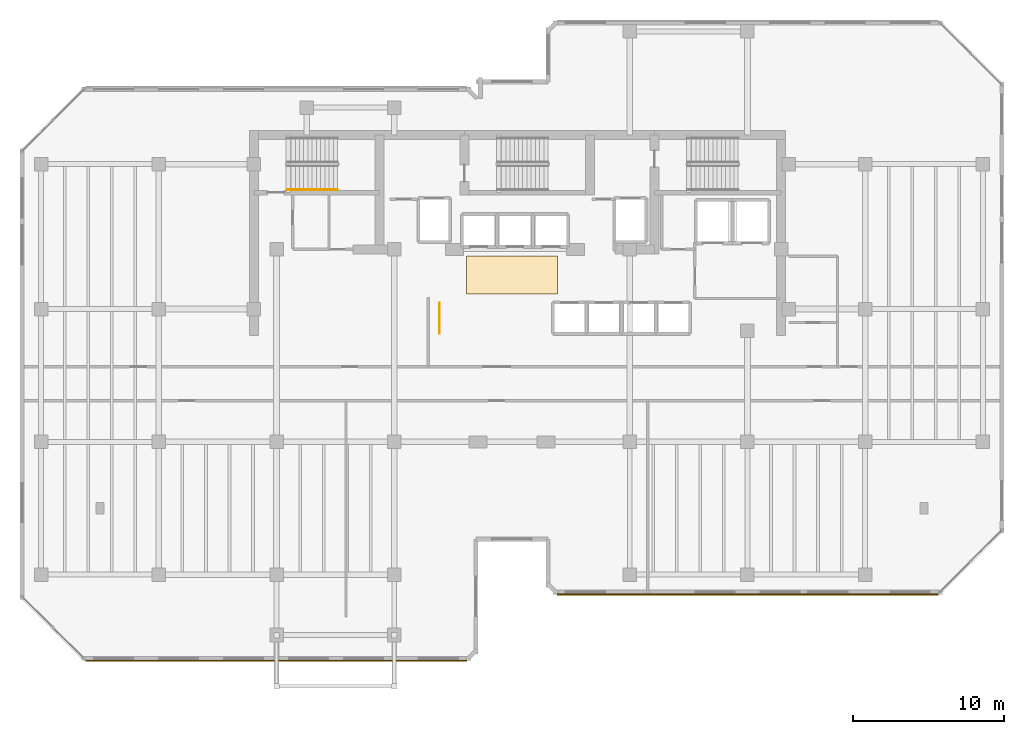
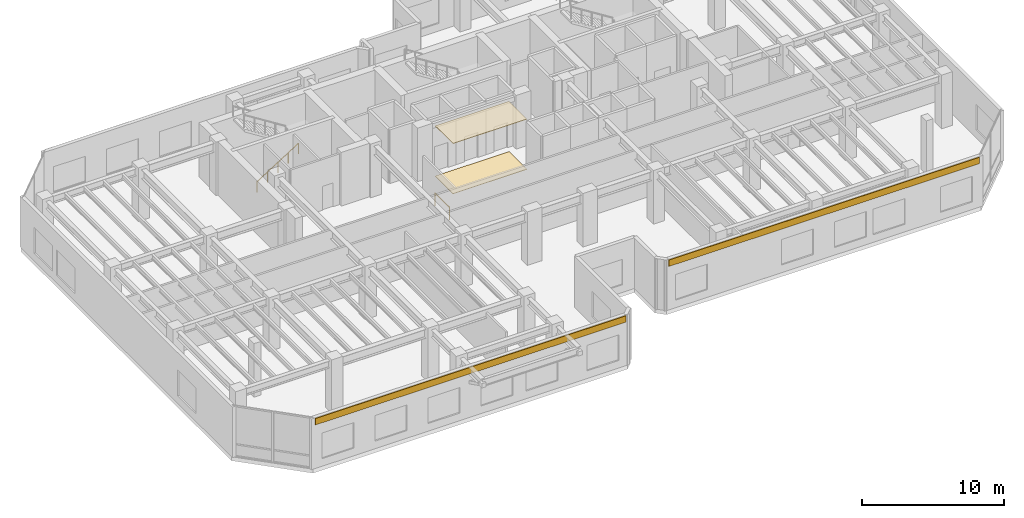
# One storey, part 18 of 20: 4 coverings, 2 railings.
"""IFC4 building model written with IfcOpenShell, lengths in metres."""

from ifc_helpers import new_model, si_unit, direction, frame, origin, origin_2d, place, context, subcontext, project, spatial, polyline, rectangle, circle, outline, extrude, material, layer, layer_set, type_object, element, save


model = new_model("IFC4")

# Units and contexts
model_context = context("Model", 3, precision=1e-05, world=origin(), true_north=direction((0.0, 1.0)))
body_context = subcontext(model_context, "Body", "Model", "MODEL_VIEW")
ifc_project = project(units=[si_unit("LENGTHUNIT", "METRE"), si_unit("AREAUNIT", "SQUARE_METRE"), si_unit("VOLUMEUNIT", "CUBIC_METRE"), si_unit("PLANEANGLEUNIT", "RADIAN"), si_unit("MASSUNIT", "GRAM", prefix="KILO")], contexts=[model_context])

# Site, building, storey
site_placement = place(None, origin())
site = spatial("IfcSite", under=ifc_project, at=site_placement, CompositionType="ELEMENT")
building_placement = place(site_placement, origin())
building = spatial("IfcBuilding", under=site, at=building_placement, Name="Kestravale Grand Hotel", CompositionType="ELEMENT")
storey_placement = place(building_placement, frame((0.0, 0.0, 231.89990234375)))
storey = spatial("IfcBuildingStorey", under=building, at=storey_placement, Name="L58", CompositionType="ELEMENT", Elevation=231.89990234375)

# Coverings
ifc_material_1 = material(Name="Warm limestone-toned fluted architectural precast cladding", Category="masonry")
ifc_layer_1 = layer(ifc_material_1, 0.074951171875)
ifc_layer_set_1 = layer_set([ifc_layer_1], Name="COV-CLAD-LIM")
covering_type_1 = type_object("IfcCoveringType", Name="COV-CLAD-LIM", PredefinedType="CLADDING", material=ifc_layer_set_1)
for number, where, z_axis, x_axis, name in (
    (1, (23.375, 5.485107421875, 3.77490234375), (0.0, 0.0, 1.0), (1.0, 0.0, 0.0), "L58 fluted limestone spandrel cladding 1"),
    (2, (54.625, 9.885009765625, 3.77490234375), (0.0, 0.0, 1.0), (1.0, 0.0, 0.0), "L58 fluted limestone spandrel cladding 7"),
):
    element("IfcCovering", number, at=place(storey_placement, frame(where, z_axis=z_axis, x_axis=x_axis)), inside=storey, type_object=covering_type_1, Name=name, PredefinedType="CLADDING", context=body_context, shape_type="SweptSolid", body=[
        extrude(rectangle(XDim=25.22998046875, YDim=0.074951171875, at=origin_2d()), origin(), (0.0, 0.0, 1.0), 0.550048828125),
    ])
ifc_material_2 = material(Name="Perforated gypsum and mineral-fibre acoustic ceiling", Category="other")
ifc_layer_2 = layer(ifc_material_2, 0.044921875)
ifc_layer_set_2 = layer_set([ifc_layer_2], Name="COV-INT-CEIL")
covering_type_2 = type_object("IfcCoveringType", Name="COV-INT-CEIL", PredefinedType="CEILING", material=ifc_layer_set_2)
covering_1_placement = place(storey_placement, frame((0.0, 0.0, 4.30517578125)))
element("IfcCovering", 3, at=covering_1_placement, inside=storey, type_object=covering_type_2, Name="L58 elevator lobby acoustic coffered ceiling", PredefinedType="CEILING", context=body_context, shape_type="SweptSolid", body=[
    extrude(outline(polyline([(36.0, 29.800048828125), (42.0, 29.800048828125), (42.0, 32.300048828125), (36.0, 32.300048828125), (36.0, 29.800048828125)])), origin(), (0.0, 0.0, 1.0), 0.044921875),
])
ifc_material_3 = material(Name="Polished Art Deco brass-inlaid terrazzo flooring", Category="masonry")
ifc_layer_3 = layer(ifc_material_3, 0.034912109375)
ifc_layer_set_3 = layer_set([ifc_layer_3], Name="COV-INT-TERZ")
covering_type_3 = type_object("IfcCoveringType", Name="COV-INT-TERZ", PredefinedType="FLOORING", material=ifc_layer_set_3)
covering_2_placement = place(storey_placement, origin())
element("IfcCovering", 4, at=covering_2_placement, inside=storey, type_object=covering_type_3, Name="L58 elevator lobby brass-inlaid terrazzo floor", PredefinedType="FLOORING", context=body_context, shape_type="SweptSolid", body=[
    extrude(outline(polyline([(36.0, 29.800048828125), (42.0, 29.800048828125), (42.0, 32.300048828125), (36.0, 32.300048828125), (36.0, 29.800048828125)])), origin(), (0.0, 0.0, 1.0), 0.03515625),
])

# Railings
ifc_material_4 = material(Name="Art Deco fluted bronze interior gallery balustrade", Category="steel")
railing_type_1 = type_object("IfcRailingType", Name="RL-INT-BAL1100", PredefinedType="BALUSTRADE", material=ifc_material_4)
railing_1_placement = place(storey_placement, frame((34.199951171875, 27.199951171875, 0.0)))
element("IfcRailing", 5, at=railing_1_placement, inside=storey, type_object=railing_type_1, Name="L58 Art Deco bronze concourse balustrade", PredefinedType="BALUSTRADE", context=body_context, shape_type="SweptSolid", body=[
    extrude(circle(Radius=0.02392578125, at=origin_2d()), frame((0.0, 0.0, 1.076171875), z_axis=(0.0, 1.0, 0.0), x_axis=(-1.0, 0.0, 0.0)), (0.0, 0.0, 1.0), 2.0),
    extrude(circle(Radius=0.02099609375, at=origin_2d()), origin(), (0.0, 0.0, 1.0), 1.052001953125),
    extrude(circle(Radius=0.02099609375, at=origin_2d()), frame((0.0, 2.0, 0.0)), (0.0, 0.0, 1.0), 1.052001953125),
])
ifc_material_5 = material(Name="Brushed stainless steel wall handrail", Category="steel")
railing_type_2 = type_object("IfcRailingType", Name="RL-ST-HND900", PredefinedType="HANDRAIL", material=ifc_material_5)
railing_2_placement = place(storey_placement, frame((24.080078125, 36.699951171875, 0.177001953125)))
element("IfcRailing", 6, at=railing_2_placement, inside=storey, type_object=railing_type_2, Name="L58 ST-1 stair handrail 1", PredefinedType="HANDRAIL", context=body_context, shape_type="SweptSolid", body=[
    extrude(circle(Radius=0.02392578125, at=origin_2d()), frame((0.0, 0.0, 0.8759765625), z_axis=(0.845372108799, 0.0, 0.534177870812), x_axis=(0.0, 1.0, 0.0)), (0.0, 0.0, 1.0), 3.974365234375),
    extrude(circle(Radius=0.02099609375, at=origin_2d()), origin(), (0.0, 0.0, 1.0), 0.851806640625),
    extrude(circle(Radius=0.02099609375, at=origin_2d()), frame((0.83984375, 0.0, 0.53076171875)), (0.0, 0.0, 1.0), 0.851806640625),
    extrude(circle(Radius=0.02099609375, at=origin_2d()), frame((1.679931640625, 0.0, 1.0615234375)), (0.0, 0.0, 1.0), 0.851806640625),
    extrude(circle(Radius=0.02099609375, at=origin_2d()), frame((2.52001953125, 0.0, 1.59228515625)), (0.0, 0.0, 1.0), 0.851806640625),
    extrude(circle(Radius=0.02099609375, at=origin_2d()), frame((3.35986328125, 0.0, 2.123046875)), (0.0, 0.0, 1.0), 0.851806640625),
])

save(model, "model.ifc")
